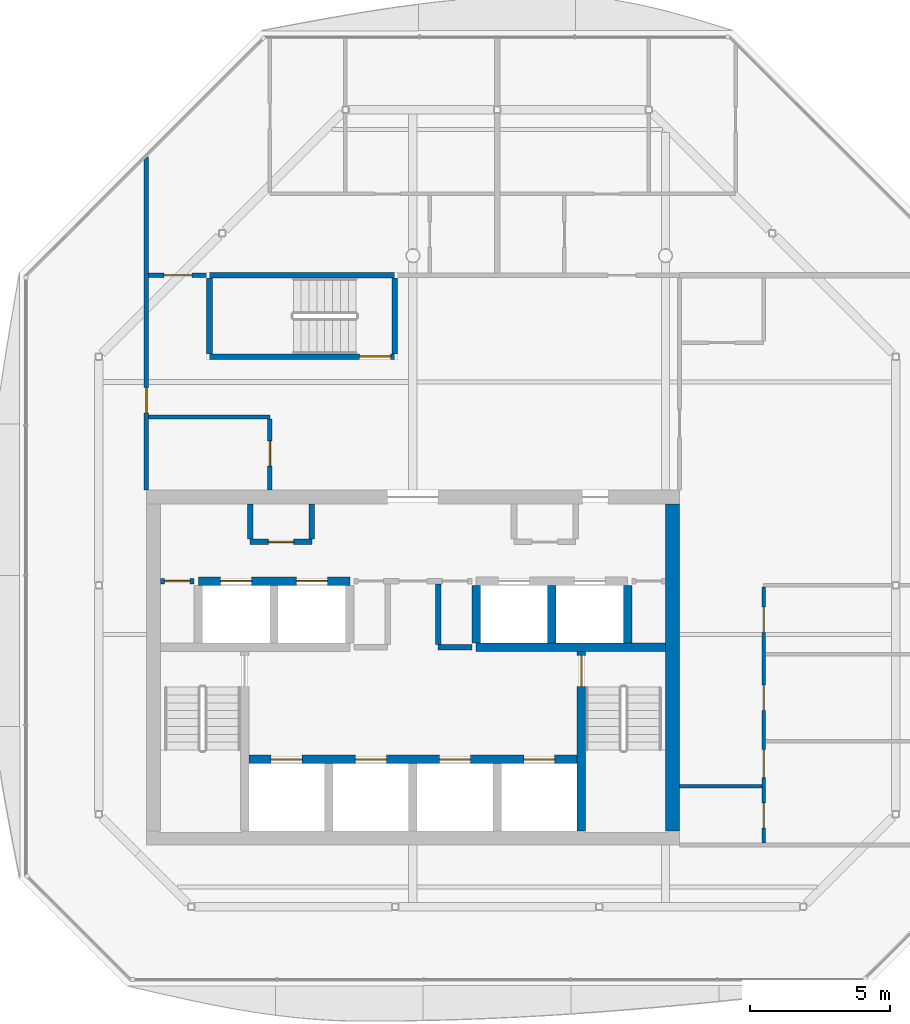
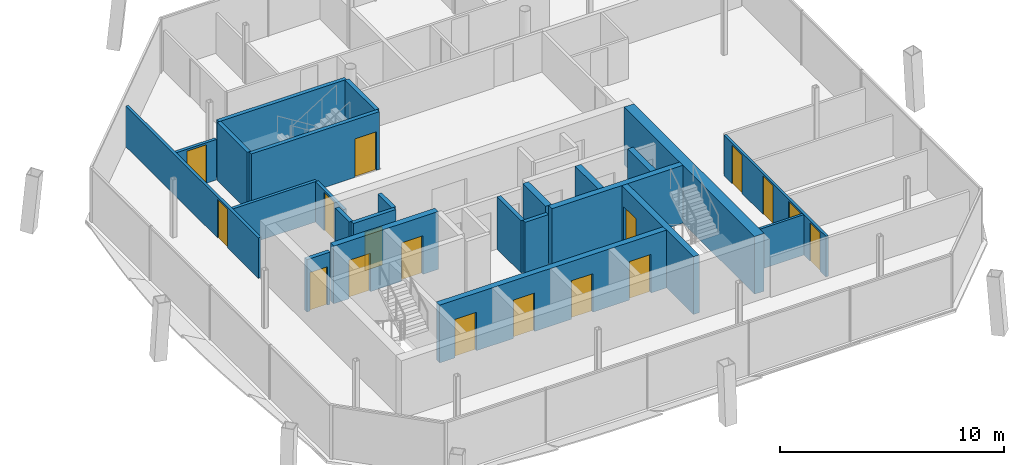
# One storey, part 10 of 16: 24 walls, 17 doors, 17 openings.
"""IFC4 building model written with IfcOpenShell, lengths in metres."""

from ifc_helpers import new_model, si_unit, direction, frame, frame_2d, origin, place, context, subcontext, project, spatial, rectangle, extrude, material, layer, layer_set, type_object, element, fill, save


model = new_model("IFC4")

# Units and contexts
model_context = context("Model", 3, precision=1e-05, world=origin(), true_north=direction((0.0, 1.0)))
body_context = subcontext(model_context, "Body", "Model", "MODEL_VIEW")
ifc_project = project(units=[si_unit("LENGTHUNIT", "METRE"), si_unit("AREAUNIT", "SQUARE_METRE"), si_unit("VOLUMEUNIT", "CUBIC_METRE"), si_unit("PLANEANGLEUNIT", "RADIAN"), si_unit("MASSUNIT", "GRAM", prefix="KILO")], contexts=[model_context])

# Site, building, storey
site_placement = place(None, origin())
site = spatial("IfcSite", under=ifc_project, at=site_placement, CompositionType="ELEMENT")
building_placement = place(site_placement, origin())
building = spatial("IfcBuilding", under=site, at=building_placement, Name="Tskaro Facet Tower", CompositionType="ELEMENT")
storey_placement = place(building_placement, frame((0.0, 0.0, 265.800048828125)))
storey = spatial("IfcBuildingStorey", under=building, at=storey_placement, Name="L70", CompositionType="ELEMENT", Elevation=265.800048828125)

# Wall, openings, doors
ifc_material_1 = material(Name="Concrete C60/75", Category="concrete")
ifc_layer_1 = layer(ifc_material_1, 0.300048828125, Name="Concrete C60/75")
ifc_layer_set_1 = layer_set([ifc_layer_1], Name="Concrete C60/75")
wall_type_1 = type_object("IfcWallType", Name="CORE-SHAFT", PredefinedType="SHEAR", material=ifc_layer_set_1)
wall_1_placement = place(storey_placement, frame((-5.85009765625, -8.949951171875, 0.0), z_axis=(0.0, 0.0, 1.0), x_axis=(1.0, 0.0, 0.0)))
wall_1 = element("IfcWall", 1, at=wall_1_placement, inside=storey, type_object=wall_type_1, Name="Shaft wall W003", PredefinedType="SHEAR", context=body_context, shape_type="SweptSolid", body=[
    extrude(rectangle(XDim=11.7001953125, YDim=0.300048828125, at=frame_2d((5.85009765625, 0.0))), origin(), (0.0, 0.0, 1.0), 3.14990234375),
])
opening_1_placement = place(wall_1_placement, frame((0.800048828125, 0.0, 0.0)))
opening_1 = element("IfcOpeningElement", 2, at=opening_1_placement, cuts=wall_1, Name="Opening LD-FF1", PredefinedType="OPENING", context=body_context, shape_type="SweptSolid", body=[
    extrude(rectangle(XDim=1.10009765625, YDim=2.10009765625, at=frame_2d((0.550048828125, 1.050048828125))), frame((0.0, 0.159912109375, 0.0), z_axis=(0.0, -1.0, 0.0), x_axis=(1.0, 0.0, 0.0)), (0.0, 0.0, 1.0), 0.320068359375),
])
opening_2_placement = place(wall_1_placement, frame((3.800048828125, 0.0, 0.0)))
opening_2 = element("IfcOpeningElement", 3, at=opening_2_placement, cuts=wall_1, Name="Opening LD-FF2", PredefinedType="OPENING", context=body_context, shape_type="SweptSolid", body=[
    extrude(rectangle(XDim=1.10009765625, YDim=2.10009765625, at=frame_2d((0.550048828125, 1.050048828125))), frame((0.0, 0.159912109375, 0.0), z_axis=(0.0, -1.0, 0.0), x_axis=(1.0, 0.0, 0.0)), (0.0, 0.0, 1.0), 0.320068359375),
])
opening_3_placement = place(wall_1_placement, frame((6.800048828125, 0.0, 0.0)))
opening_3 = element("IfcOpeningElement", 4, at=opening_3_placement, cuts=wall_1, Name="Opening LD-SV1", PredefinedType="OPENING", context=body_context, shape_type="SweptSolid", body=[
    extrude(rectangle(XDim=1.10009765625, YDim=2.10009765625, at=frame_2d((0.550048828125, 1.050048828125))), frame((0.0, 0.159912109375, 0.0), z_axis=(0.0, -1.0, 0.0), x_axis=(1.0, 0.0, 0.0)), (0.0, 0.0, 1.0), 0.320068359375),
])
opening_4_placement = place(wall_1_placement, frame((9.800048828125, 0.0, 0.0)))
opening_4 = element("IfcOpeningElement", 5, at=opening_4_placement, cuts=wall_1, Name="Opening LD-SV2", PredefinedType="OPENING", context=body_context, shape_type="SweptSolid", body=[
    extrude(rectangle(XDim=1.10009765625, YDim=2.10009765625, at=frame_2d((0.550048828125, 1.050048828125))), frame((0.0, 0.159912109375, 0.0), z_axis=(0.0, -1.0, 0.0), x_axis=(1.0, 0.0, 0.0)), (0.0, 0.0, 1.0), 0.320068359375),
])
ifc_material_2 = material(Name="Stainless steel", Category="steel")
door_type_1 = type_object("IfcDoorType", Name="D-LANDING", OperationType="NOTDEFINED", PredefinedType="DOOR", material=ifc_material_2)
door_1_placement = place(opening_1_placement, origin())
door_1 = element("IfcDoor", 6, at=door_1_placement, inside=storey, type_object=door_type_1, Name="Landing door FF1", OperationType="DOUBLE_DOOR_SLIDING", OverallHeight=2.10009765625, OverallWidth=1.10009765625, PredefinedType="DOOR", context=body_context, shape_type="SweptSolid", body=[
    extrude(rectangle(XDim=1.10009765625, YDim=2.10009765625, at=frame_2d((0.550048828125, 1.050048828125))), frame((0.0, 0.02490234375, 0.0), z_axis=(0.0, -1.0, 0.0), x_axis=(1.0, 0.0, 0.0)), (0.0, 0.0, 1.0), 0.050048828125),
])
fill(opening_1, door_1)
door_2_placement = place(opening_2_placement, origin())
door_2 = element("IfcDoor", 7, at=door_2_placement, inside=storey, type_object=door_type_1, Name="Landing door FF2", OperationType="DOUBLE_DOOR_SLIDING", OverallHeight=2.10009765625, OverallWidth=1.10009765625, PredefinedType="DOOR", context=body_context, shape_type="SweptSolid", body=[
    extrude(rectangle(XDim=1.10009765625, YDim=2.10009765625, at=frame_2d((0.550048828125, 1.050048828125))), frame((0.0, 0.02490234375, 0.0), z_axis=(0.0, -1.0, 0.0), x_axis=(1.0, 0.0, 0.0)), (0.0, 0.0, 1.0), 0.050048828125),
])
fill(opening_2, door_2)
door_3_placement = place(opening_3_placement, origin())
door_3 = element("IfcDoor", 8, at=door_3_placement, inside=storey, type_object=door_type_1, Name="Landing door SV1", OperationType="DOUBLE_DOOR_SLIDING", OverallHeight=2.10009765625, OverallWidth=1.10009765625, PredefinedType="DOOR", context=body_context, shape_type="SweptSolid", body=[
    extrude(rectangle(XDim=1.10009765625, YDim=2.10009765625, at=frame_2d((0.550048828125, 1.050048828125))), frame((0.0, 0.02490234375, 0.0), z_axis=(0.0, -1.0, 0.0), x_axis=(1.0, 0.0, 0.0)), (0.0, 0.0, 1.0), 0.050048828125),
])
fill(opening_3, door_3)
door_4_placement = place(opening_4_placement, origin())
door_4 = element("IfcDoor", 9, at=door_4_placement, inside=storey, type_object=door_type_1, Name="Landing door SV2", OperationType="DOUBLE_DOOR_SLIDING", OverallHeight=2.10009765625, OverallWidth=1.10009765625, PredefinedType="DOOR", context=body_context, shape_type="SweptSolid", body=[
    extrude(rectangle(XDim=1.10009765625, YDim=2.10009765625, at=frame_2d((0.550048828125, 1.050048828125))), frame((0.0, 0.02490234375, 0.0), z_axis=(0.0, -1.0, 0.0), x_axis=(1.0, 0.0, 0.0)), (0.0, 0.0, 1.0), 0.050048828125),
])
fill(opening_4, door_4)

# Wall
wall_2_placement = place(storey_placement, frame((2.25, -4.949951171875, 0.0), z_axis=(0.0, 0.0, 1.0), x_axis=(1.0, 0.0, 0.0)))
element("IfcWall", 10, at=wall_2_placement, inside=storey, type_object=wall_type_1, Name="Shaft wall W009", PredefinedType="SHEAR", context=body_context, shape_type="SweptSolid", body=[
    extrude(rectangle(XDim=6.75, YDim=0.300048828125, at=frame_2d((3.375, 0.0))), origin(), (0.0, 0.0, 1.0), 3.14990234375),
])

# Wall, openings, doors
wall_3_placement = place(storey_placement, frame((-7.64990234375, -2.60009765625, 0.0), z_axis=(0.0, 0.0, 1.0), x_axis=(1.0, 0.0, 0.0)))
wall_3 = element("IfcWall", 11, at=wall_3_placement, inside=storey, type_object=wall_type_1, Name="Shaft wall W013", PredefinedType="SHEAR", context=body_context, shape_type="SweptSolid", body=[
    extrude(rectangle(XDim=5.39990234375, YDim=0.300048828125, at=frame_2d((2.699951171875, 0.0))), origin(), (0.0, 0.0, 1.0), 3.14990234375),
])
opening_5_placement = place(wall_3_placement, frame((0.800048828125, 0.0, 0.0)))
opening_5 = element("IfcOpeningElement", 12, at=opening_5_placement, cuts=wall_3, Name="Opening LD-HB1", PredefinedType="OPENING", context=body_context, shape_type="SweptSolid", body=[
    extrude(rectangle(XDim=1.10009765625, YDim=2.10009765625, at=frame_2d((0.550048828125, 1.050048828125))), frame((0.0, 0.159912109375, 0.0), z_axis=(0.0, -1.0, 0.0), x_axis=(1.0, 0.0, 0.0)), (0.0, 0.0, 1.0), 0.320068359375),
])
opening_6_placement = place(wall_3_placement, frame((3.5, 0.0, 0.0)))
opening_6 = element("IfcOpeningElement", 13, at=opening_6_placement, cuts=wall_3, Name="Opening LD-HB2", PredefinedType="OPENING", context=body_context, shape_type="SweptSolid", body=[
    extrude(rectangle(XDim=1.10009765625, YDim=2.10009765625, at=frame_2d((0.550048828125, 1.050048828125))), frame((0.0, 0.159912109375, 0.0), z_axis=(0.0, -1.0, 0.0), x_axis=(1.0, 0.0, 0.0)), (0.0, 0.0, 1.0), 0.320068359375),
])
door_5_placement = place(opening_5_placement, origin())
door_5 = element("IfcDoor", 14, at=door_5_placement, inside=storey, type_object=door_type_1, Name="Landing door HB1", OperationType="DOUBLE_DOOR_SLIDING", OverallHeight=2.10009765625, OverallWidth=1.10009765625, PredefinedType="DOOR", context=body_context, shape_type="SweptSolid", body=[
    extrude(rectangle(XDim=1.10009765625, YDim=2.10009765625, at=frame_2d((0.550048828125, 1.050048828125))), frame((0.0, 0.02490234375, 0.0), z_axis=(0.0, -1.0, 0.0), x_axis=(1.0, 0.0, 0.0)), (0.0, 0.0, 1.0), 0.050048828125),
])
fill(opening_5, door_5)
door_6_placement = place(opening_6_placement, origin())
door_6 = element("IfcDoor", 15, at=door_6_placement, inside=storey, type_object=door_type_1, Name="Landing door HB2", OperationType="DOUBLE_DOOR_SLIDING", OverallHeight=2.10009765625, OverallWidth=1.10009765625, PredefinedType="DOOR", context=body_context, shape_type="SweptSolid", body=[
    extrude(rectangle(XDim=1.10009765625, YDim=2.10009765625, at=frame_2d((0.550048828125, 1.050048828125))), frame((0.0, 0.02490234375, 0.0), z_axis=(0.0, -1.0, 0.0), x_axis=(1.0, 0.0, 0.0)), (0.0, 0.0, 1.0), 0.050048828125),
])
fill(opening_6, door_6)

# Walls
for number, where, z_axis, x_axis, name in (
    (16, (2.25, -4.800048828125, 0.0), (0.0, 0.0, 1.0), (0.0, 1.0, 0.0), "Shaft wall W045"),
    (17, (4.949951171875, -4.800048828125, 0.0), (0.0, 0.0, 1.0), (0.0, 1.0, 0.0), "Shaft wall W050"),
):
    element("IfcWall", number, at=place(storey_placement, frame(where, z_axis=z_axis, x_axis=x_axis)), inside=storey, type_object=wall_type_1, Name=name, PredefinedType="SHEAR", context=body_context, shape_type="SweptSolid", body=[
        extrude(rectangle(XDim=2.050048828125, YDim=0.300048828125, at=frame_2d((1.02490234375, 0.0))), origin(), (0.0, 0.0, 1.0), 3.14990234375),
    ])

# Wall, opening, door
wall_4_placement = place(storey_placement, frame((6.0, -5.10009765625, 0.0), z_axis=(0.0, 0.0, 1.0), x_axis=(0.0, -1.0, 0.0)))
wall_4 = element("IfcWall", 18, at=wall_4_placement, inside=storey, type_object=wall_type_1, Name="Shaft wall W053", PredefinedType="SHEAR", context=body_context, shape_type="SweptSolid", body=[
    extrude(rectangle(XDim=6.39990234375, YDim=0.300048828125, at=frame_2d((3.199951171875, 0.0))), origin(), (0.0, 0.0, 1.0), 3.14990234375),
])
opening_7_placement = place(wall_4_placement, frame((0.14990234375, 0.0, 0.0)))
opening_7 = element("IfcOpeningElement", 19, at=opening_7_placement, cuts=wall_4, Name="Opening ST-2-D1", PredefinedType="OPENING", context=body_context, shape_type="SweptSolid", body=[
    extrude(rectangle(XDim=1.10009765625, YDim=2.10009765625, at=frame_2d((0.550048828125, 1.050048828125))), frame((0.0, 0.159912109375, 0.0), z_axis=(0.0, -1.0, 0.0), x_axis=(1.0, 0.0, 0.0)), (0.0, 0.0, 1.0), 0.320068359375),
])
ifc_material_3 = material(Name="Steel", Category="steel")
door_type_2 = type_object("IfcDoorType", Name="D-STAIR", OperationType="NOTDEFINED", PredefinedType="DOOR", material=ifc_material_3)
door_7_placement = place(opening_7_placement, origin())
door_7 = element("IfcDoor", 20, at=door_7_placement, inside=storey, type_object=door_type_2, Name="Stair door 2", OperationType="SINGLE_SWING_RIGHT", OverallHeight=2.10009765625, OverallWidth=1.10009765625, PredefinedType="DOOR", context=body_context, shape_type="SweptSolid", body=[
    extrude(rectangle(XDim=1.10009765625, YDim=2.10009765625, at=frame_2d((0.550048828125, 1.050048828125))), frame((0.0, 0.02490234375, 0.0), z_axis=(0.0, -1.0, 0.0), x_axis=(1.0, 0.0, 0.0)), (0.0, 0.0, 1.0), 0.050048828125),
])
fill(opening_7, door_7)

# Walls
wall_5_placement = place(storey_placement, frame((7.64990234375, -4.800048828125, 0.0), z_axis=(0.0, 0.0, 1.0), x_axis=(0.0, 1.0, 0.0)))
element("IfcWall", 21, at=wall_5_placement, inside=storey, type_object=wall_type_1, Name="Shaft wall W054", PredefinedType="SHEAR", context=body_context, shape_type="SweptSolid", body=[
    extrude(rectangle(XDim=2.050048828125, YDim=0.300048828125, at=frame_2d((1.02490234375, 0.0))), origin(), (0.0, 0.0, 1.0), 3.14990234375),
])
ifc_material_4 = material(Name="Concrete C20/25", Category="concrete")
ifc_layer_2 = layer(ifc_material_4, 0.199951171875, Name="Concrete C20/25")
ifc_layer_set_2 = layer_set([ifc_layer_2], Name="Concrete C20/25")
wall_type_2 = type_object("IfcWallType", Name="CORE-WALL", PredefinedType="SOLIDWALL", material=ifc_layer_set_2)
wall_6_placement = place(storey_placement, frame((0.89990234375, -4.949951171875, 0.0), z_axis=(0.0, 0.0, 1.0), x_axis=(1.0, 0.0, 0.0)))
element("IfcWall", 22, at=wall_6_placement, inside=storey, type_object=wall_type_2, Name="Core room wall W008", PredefinedType="SOLIDWALL", context=body_context, shape_type="SweptSolid", body=[
    extrude(rectangle(XDim=1.2001953125, YDim=0.199951171875, at=frame_2d((0.60009765625, 0.0))), origin(), (0.0, 0.0, 1.0), 2.849853515625),
])

# Wall, opening, door
wall_7_placement = place(storey_placement, frame((-7.800048828125, -2.60009765625, 0.0), z_axis=(0.0, 0.0, 1.0), x_axis=(-1.0, 0.0, 0.0)))
wall_7 = element("IfcWall", 23, at=wall_7_placement, inside=storey, type_object=wall_type_2, Name="Core room wall W012", PredefinedType="SOLIDWALL", context=body_context, shape_type="SweptSolid", body=[
    extrude(rectangle(XDim=1.199951171875, YDim=0.199951171875, at=frame_2d((0.60009765625, 0.0))), origin(), (0.0, 0.0, 1.0), 2.849853515625),
])
opening_8_placement = place(wall_7_placement, frame((0.14990234375, 0.0, 0.0)))
opening_8 = element("IfcOpeningElement", 24, at=opening_8_placement, cuts=wall_7, Name="Opening T20-D05", PredefinedType="OPENING", context=body_context, shape_type="SweptSolid", body=[
    extrude(rectangle(XDim=0.89990234375, YDim=2.10009765625, at=frame_2d((0.449951171875, 1.050048828125))), frame((0.0, 0.10986328125, 0.0), z_axis=(0.0, -1.0, 0.0), x_axis=(1.0, 0.0, 0.0)), (0.0, 0.0, 1.0), 0.219970703125),
])
ifc_material_5 = material(Name="Timber", Category="wood")
door_type_3 = type_object("IfcDoorType", Name="D-ROOM", OperationType="NOTDEFINED", PredefinedType="DOOR", material=ifc_material_5)
door_8_placement = place(opening_8_placement, origin())
door_8 = element("IfcDoor", 25, at=door_8_placement, inside=storey, type_object=door_type_3, Name="Door T20-D05", OperationType="SINGLE_SWING_RIGHT", OverallHeight=2.10009765625, OverallWidth=0.89990234375, PredefinedType="DOOR", context=body_context, shape_type="SweptSolid", body=[
    extrude(rectangle(XDim=0.89990234375, YDim=2.10009765625, at=frame_2d((0.449951171875, 1.050048828125))), frame((0.0, 0.02490234375, 0.0), z_axis=(0.0, -1.0, 0.0), x_axis=(1.0, 0.0, 0.0)), (0.0, 0.0, 1.0), 0.050048828125),
])
fill(opening_8, door_8)

wall_8_placement = place(storey_placement, frame((-5.800048828125, -1.199951171875, 0.0), z_axis=(0.0, 0.0, 1.0), x_axis=(1.0, 0.0, 0.0)))
wall_8 = element("IfcWall", 26, at=wall_8_placement, inside=storey, type_object=wall_type_2, Name="Core room wall W017", PredefinedType="SOLIDWALL", context=body_context, shape_type="SweptSolid", body=[
    extrude(rectangle(XDim=2.199951171875, YDim=0.199951171875, at=frame_2d((1.10009765625, 0.0))), origin(), (0.0, 0.0, 1.0), 2.849853515625),
])
opening_9_placement = place(wall_8_placement, frame((0.64990234375, 0.0, 0.0)))
opening_9 = element("IfcOpeningElement", 27, at=opening_9_placement, cuts=wall_8, Name="Opening T20-D09", PredefinedType="OPENING", context=body_context, shape_type="SweptSolid", body=[
    extrude(rectangle(XDim=0.89990234375, YDim=2.10009765625, at=frame_2d((0.449951171875, 1.050048828125))), frame((0.0, 0.10986328125, 0.0), z_axis=(0.0, -1.0, 0.0), x_axis=(1.0, 0.0, 0.0)), (0.0, 0.0, 1.0), 0.219970703125),
])
door_9_placement = place(opening_9_placement, origin())
door_9 = element("IfcDoor", 28, at=door_9_placement, inside=storey, type_object=door_type_3, Name="Door T20-D09", OperationType="SINGLE_SWING_LEFT", OverallHeight=2.10009765625, OverallWidth=0.89990234375, PredefinedType="DOOR", context=body_context, shape_type="SweptSolid", body=[
    extrude(rectangle(XDim=0.89990234375, YDim=2.10009765625, at=frame_2d((0.449951171875, 1.050048828125))), frame((0.0, 0.02490234375, 0.0), z_axis=(0.0, -1.0, 0.0), x_axis=(1.0, 0.0, 0.0)), (0.0, 0.0, 1.0), 0.050048828125),
])
fill(opening_9, door_9)

# Walls
for number, where, z_axis, x_axis, name in (
    (29, (-5.800048828125, -1.10009765625, 0.0), (0.0, 0.0, 1.0), (0.0, 1.0, 0.0), "Core room wall W031"),
    (30, (-3.60009765625, -1.10009765625, 0.0), (0.0, 0.0, 1.0), (0.0, 1.0, 0.0), "Core room wall W035"),
):
    element("IfcWall", number, at=place(storey_placement, frame(where, z_axis=z_axis, x_axis=x_axis)), inside=storey, type_object=wall_type_2, Name=name, PredefinedType="SOLIDWALL", context=body_context, shape_type="SweptSolid", body=[
        extrude(rectangle(XDim=1.25, YDim=0.199951171875, at=frame_2d((0.625, 0.0))), origin(), (0.0, 0.0, 1.0), 2.849853515625),
    ])
wall_9_placement = place(storey_placement, frame((0.89990234375, -4.85009765625, 0.0), z_axis=(0.0, 0.0, 1.0), x_axis=(0.0, 1.0, 0.0)))
element("IfcWall", 31, at=wall_9_placement, inside=storey, type_object=wall_type_2, Name="Core room wall W044", PredefinedType="SOLIDWALL", context=body_context, shape_type="SweptSolid", body=[
    extrude(rectangle(XDim=2.150146484375, YDim=0.199951171875, at=frame_2d((1.0751953125, 0.0))), origin(), (0.0, 0.0, 1.0), 2.849853515625),
])
ifc_material_6 = material(Name="Concrete C40/50", Category="concrete")
ifc_layer_3 = layer(ifc_material_6, 0.5, Name="Concrete C40/50")
ifc_layer_set_3 = layer_set([ifc_layer_3], Name="Concrete C40/50")
wall_type_3 = type_object("IfcWallType", Name="Core wall 500", PredefinedType="SHEAR", material=ifc_layer_set_3)
wall_10_placement = place(storey_placement, frame((9.25, -11.5, 0.0), z_axis=(0.0, 0.0, 1.0), x_axis=(0.0, 1.0, 0.0)))
element("IfcWall", 32, at=wall_10_placement, inside=storey, type_object=wall_type_3, Name="Core wall CW-Z3E", PredefinedType="SHEAR", context=body_context, shape_type="SweptSolid", body=[
    extrude(rectangle(XDim=11.64990234375, YDim=0.5, at=frame_2d((5.824951171875, 0.0))), origin(), (0.0, 0.0, 1.0), 3.14990234375),
])
ifc_material_7 = material(Name="Gypsum board on steel studs", Category="steel")
ifc_layer_4 = layer(ifc_material_7, 0.125, Name="Gypsum board on steel studs")
ifc_layer_set_4 = layer_set([ifc_layer_4], Name="Gypsum board on steel studs")
wall_type_4 = type_object("IfcWallType", Name="PART", PredefinedType="PARTITIONING", material=ifc_layer_set_4)
wall_11_placement = place(storey_placement, frame((9.5, -9.89990234375, 0.0), z_axis=(0.0, 0.0, 1.0), x_axis=(1.0, 0.0, 0.0)))
element("IfcWall", 33, at=wall_11_placement, inside=storey, type_object=wall_type_4, Name="Partition W002", PredefinedType="PARTITIONING", context=body_context, shape_type="SweptSolid", body=[
    extrude(rectangle(XDim=2.9375, YDim=0.125, at=frame_2d((1.46875, 0.0))), origin(), (0.0, 0.0, 1.0), 2.2099609375),
])

# Wall, openings, doors
wall_12_placement = place(storey_placement, frame((12.5, -2.8125, 0.0), z_axis=(0.0, 0.0, 1.0), x_axis=(0.0, -1.0, 0.0)))
wall_12 = element("IfcWall", 34, at=wall_12_placement, inside=storey, type_object=wall_type_4, Name="Partition W059", PredefinedType="PARTITIONING", context=body_context, shape_type="SweptSolid", body=[
    extrude(rectangle(XDim=9.112548828125, YDim=0.125, at=frame_2d((4.55615234375, 0.0))), origin(), (0.0, 0.0, 1.0), 2.2099609375),
])
opening_10_placement = place(wall_12_placement, frame((3.487548828125, 0.0, 0.0)))
opening_10 = element("IfcOpeningElement", 35, at=opening_10_placement, cuts=wall_12, Name="Opening T20-D03", PredefinedType="OPENING", context=body_context, shape_type="SweptSolid", body=[
    extrude(rectangle(XDim=0.89990234375, YDim=2.10009765625, at=frame_2d((0.449951171875, 1.050048828125))), frame((0.0, 0.072509765625, 0.0), z_axis=(0.0, -1.0, 0.0), x_axis=(1.0, 0.0, 0.0)), (0.0, 0.0, 1.0), 0.14501953125),
])
opening_11_placement = place(wall_12_placement, frame((0.71240234375, 0.0, 0.0)))
opening_11 = element("IfcOpeningElement", 36, at=opening_11_placement, cuts=wall_12, Name="Opening T20-D04", PredefinedType="OPENING", context=body_context, shape_type="SweptSolid", body=[
    extrude(rectangle(XDim=0.89990234375, YDim=2.10009765625, at=frame_2d((0.449951171875, 1.050048828125))), frame((0.0, 0.072509765625, 0.0), z_axis=(0.0, -1.0, 0.0), x_axis=(1.0, 0.0, 0.0)), (0.0, 0.0, 1.0), 0.14501953125),
])
opening_12_placement = place(wall_12_placement, frame((5.78759765625, 0.0, 0.0)))
opening_12 = element("IfcOpeningElement", 37, at=opening_12_placement, cuts=wall_12, Name="Opening T20-D02", PredefinedType="OPENING", context=body_context, shape_type="SweptSolid", body=[
    extrude(rectangle(XDim=1.0, YDim=2.10009765625, at=frame_2d((0.5, 1.050048828125))), frame((0.0, 0.072509765625, 0.0), z_axis=(0.0, -1.0, 0.0), x_axis=(1.0, 0.0, 0.0)), (0.0, 0.0, 1.0), 0.14501953125),
])
opening_13_placement = place(wall_12_placement, frame((7.6875, 0.0, 0.0)))
opening_13 = element("IfcOpeningElement", 38, at=opening_13_placement, cuts=wall_12, Name="Opening T20-D01", PredefinedType="OPENING", context=body_context, shape_type="SweptSolid", body=[
    extrude(rectangle(XDim=0.89990234375, YDim=2.10009765625, at=frame_2d((0.449951171875, 1.050048828125))), frame((0.0, 0.072509765625, 0.0), z_axis=(0.0, -1.0, 0.0), x_axis=(1.0, 0.0, 0.0)), (0.0, 0.0, 1.0), 0.14501953125),
])
door_10_placement = place(opening_10_placement, origin())
door_10 = element("IfcDoor", 39, at=door_10_placement, inside=storey, type_object=door_type_3, Name="Door T20-D03", OperationType="SINGLE_SWING_LEFT", OverallHeight=2.10009765625, OverallWidth=0.89990234375, PredefinedType="DOOR", context=body_context, shape_type="SweptSolid", body=[
    extrude(rectangle(XDim=0.89990234375, YDim=2.10009765625, at=frame_2d((0.449951171875, 1.050048828125))), frame((0.0, 0.02490234375, 0.0), z_axis=(0.0, -1.0, 0.0), x_axis=(1.0, 0.0, 0.0)), (0.0, 0.0, 1.0), 0.050048828125),
])
fill(opening_10, door_10)
door_11_placement = place(opening_11_placement, origin())
door_11 = element("IfcDoor", 40, at=door_11_placement, inside=storey, type_object=door_type_3, Name="Door T20-D04", OperationType="SINGLE_SWING_RIGHT", OverallHeight=2.10009765625, OverallWidth=0.89990234375, PredefinedType="DOOR", context=body_context, shape_type="SweptSolid", body=[
    extrude(rectangle(XDim=0.89990234375, YDim=2.10009765625, at=frame_2d((0.449951171875, 1.050048828125))), frame((0.0, 0.02490234375, 0.0), z_axis=(0.0, -1.0, 0.0), x_axis=(1.0, 0.0, 0.0)), (0.0, 0.0, 1.0), 0.050048828125),
])
fill(opening_11, door_11)
door_12_placement = place(opening_13_placement, origin())
door_12 = element("IfcDoor", 41, at=door_12_placement, inside=storey, type_object=door_type_3, Name="Door T20-D01", OperationType="SINGLE_SWING_LEFT", OverallHeight=2.10009765625, OverallWidth=0.89990234375, PredefinedType="DOOR", context=body_context, shape_type="SweptSolid", body=[
    extrude(rectangle(XDim=0.89990234375, YDim=2.10009765625, at=frame_2d((0.449951171875, 1.050048828125))), frame((0.0, 0.02490234375, 0.0), z_axis=(0.0, -1.0, 0.0), x_axis=(1.0, 0.0, 0.0)), (0.0, 0.0, 1.0), 0.050048828125),
])
fill(opening_13, door_12)
door_type_4 = type_object("IfcDoorType", Name="D-ROOM-WIDE", OperationType="NOTDEFINED", PredefinedType="DOOR", material=ifc_material_5)
door_13_placement = place(opening_12_placement, origin())
door_13 = element("IfcDoor", 42, at=door_13_placement, inside=storey, type_object=door_type_4, Name="Door T20-D02", OperationType="SINGLE_SWING_RIGHT", OverallHeight=2.10009765625, OverallWidth=1.0, PredefinedType="DOOR", context=body_context, shape_type="SweptSolid", body=[
    extrude(rectangle(XDim=1.0, YDim=2.10009765625, at=frame_2d((0.5, 1.050048828125))), frame((0.0, 0.02490234375, 0.0), z_axis=(0.0, -1.0, 0.0), x_axis=(1.0, 0.0, 0.0)), (0.0, 0.0, 1.0), 0.050048828125),
])
fill(opening_12, door_13)

# Wall
ifc_layer_5 = layer(ifc_material_7, 0.14990234375, Name="Gypsum board on steel studs")
ifc_layer_set_5 = layer_set([ifc_layer_5], Name="Gypsum board on steel studs")
wall_type_5 = type_object("IfcWallType", Name="PART-CORR", PredefinedType="PARTITIONING", material=ifc_layer_set_5)
wall_13_placement = place(storey_placement, frame((-9.425048828125, 3.25, 0.0), z_axis=(0.0, 0.0, 1.0), x_axis=(1.0, 0.0, 0.0)))
element("IfcWall", 43, at=wall_13_placement, inside=storey, type_object=wall_type_5, Name="Corridor wall W019", PredefinedType="PARTITIONING", context=body_context, shape_type="SweptSolid", body=[
    extrude(rectangle(XDim=4.324951171875, YDim=0.14990234375, at=frame_2d((2.16259765625, 0.0))), origin(), (0.0, 0.0, 1.0), 2.2099609375),
])

# Wall, opening, door
wall_14_placement = place(storey_placement, frame((-9.425048828125, 8.300048828125, 0.0), z_axis=(0.0, 0.0, 1.0), x_axis=(1.0, 0.0, 0.0)))
wall_14 = element("IfcWall", 44, at=wall_14_placement, inside=storey, type_object=wall_type_5, Name="Corridor wall W022", PredefinedType="PARTITIONING", context=body_context, shape_type="SweptSolid", body=[
    extrude(rectangle(XDim=2.074951171875, YDim=0.14990234375, at=frame_2d((1.03759765625, 0.0))), origin(), (0.0, 0.0, 1.0), 2.2099609375),
])
opening_14_placement = place(wall_14_placement, frame((0.550048828125, 0.0, 0.0)))
opening_14 = element("IfcOpeningElement", 45, at=opening_14_placement, cuts=wall_14, Name="Opening T20-D17", PredefinedType="OPENING", context=body_context, shape_type="SweptSolid", body=[
    extrude(rectangle(XDim=1.0, YDim=2.10009765625, at=frame_2d((0.5, 1.050048828125))), frame((0.0, 0.0849609375, 0.0), z_axis=(0.0, -1.0, 0.0), x_axis=(1.0, 0.0, 0.0)), (0.0, 0.0, 1.0), 0.169921875),
])
door_type_5 = type_object("IfcDoorType", Name="D-FLAT-ENTRY", OperationType="NOTDEFINED", PredefinedType="DOOR", material=ifc_material_5)
door_14_placement = place(opening_14_placement, origin())
door_14 = element("IfcDoor", 46, at=door_14_placement, inside=storey, type_object=door_type_5, Name="Door T20-D17", OperationType="SINGLE_SWING_LEFT", OverallHeight=2.10009765625, OverallWidth=1.0, PredefinedType="DOOR", context=body_context, shape_type="SweptSolid", body=[
    extrude(rectangle(XDim=1.0, YDim=2.10009765625, at=frame_2d((0.5, 1.050048828125))), frame((0.0, 0.02490234375, 0.0), z_axis=(0.0, -1.0, 0.0), x_axis=(1.0, 0.0, 0.0)), (0.0, 0.0, 1.0), 0.050048828125),
])
fill(opening_14, door_14)

wall_15_placement = place(storey_placement, frame((-9.5, 0.64990234375, 0.0), z_axis=(0.0, 0.0, 1.0), x_axis=(0.0, 1.0, 0.0)))
wall_15 = element("IfcWall", 47, at=wall_15_placement, inside=storey, type_object=wall_type_5, Name="Corridor wall W027", PredefinedType="PARTITIONING", context=body_context, shape_type="SweptSolid", body=[
    extrude(rectangle(XDim=11.860107421875, YDim=0.14990234375, at=frame_2d((5.93017578125, 0.0))), origin(), (0.0, 0.0, 1.0), 2.2099609375),
])
opening_15_placement = place(wall_15_placement, frame((2.75, 0.0, 0.0)))
opening_15 = element("IfcOpeningElement", 48, at=opening_15_placement, cuts=wall_15, Name="Opening T20-D15", PredefinedType="OPENING", context=body_context, shape_type="SweptSolid", body=[
    extrude(rectangle(XDim=0.89990234375, YDim=2.10009765625, at=frame_2d((0.449951171875, 1.050048828125))), frame((0.0, 0.0849609375, 0.0), z_axis=(0.0, -1.0, 0.0), x_axis=(1.0, 0.0, 0.0)), (0.0, 0.0, 1.0), 0.169921875),
])
door_15_placement = place(opening_15_placement, origin())
door_15 = element("IfcDoor", 49, at=door_15_placement, inside=storey, type_object=door_type_3, Name="Door T20-D15", OperationType="SINGLE_SWING_LEFT", OverallHeight=2.10009765625, OverallWidth=0.89990234375, PredefinedType="DOOR", context=body_context, shape_type="SweptSolid", body=[
    extrude(rectangle(XDim=0.89990234375, YDim=2.10009765625, at=frame_2d((0.449951171875, 1.050048828125))), frame((0.0, 0.02490234375, 0.0), z_axis=(0.0, -1.0, 0.0), x_axis=(1.0, 0.0, 0.0)), (0.0, 0.0, 1.0), 0.050048828125),
])
fill(opening_15, door_15)

wall_16_placement = place(storey_placement, frame((-5.10009765625, 0.64990234375, 0.0), z_axis=(0.0, 0.0, 1.0), x_axis=(0.0, 1.0, 0.0)))
wall_16 = element("IfcWall", 50, at=wall_16_placement, inside=storey, type_object=wall_type_5, Name="Corridor wall W032", PredefinedType="PARTITIONING", context=body_context, shape_type="SweptSolid", body=[
    extrude(rectangle(XDim=2.525146484375, YDim=0.14990234375, at=frame_2d((1.2626953125, 0.0))), origin(), (0.0, 0.0, 1.0), 2.2099609375),
])
opening_16_placement = place(wall_16_placement, frame((0.85009765625, 0.0, 0.0)))
opening_16 = element("IfcOpeningElement", 51, at=opening_16_placement, cuts=wall_16, Name="Opening T20-D13", PredefinedType="OPENING", context=body_context, shape_type="SweptSolid", body=[
    extrude(rectangle(XDim=0.89990234375, YDim=2.10009765625, at=frame_2d((0.449951171875, 1.050048828125))), frame((0.0, 0.0849609375, 0.0), z_axis=(0.0, -1.0, 0.0), x_axis=(1.0, 0.0, 0.0)), (0.0, 0.0, 1.0), 0.169921875),
])
door_16_placement = place(opening_16_placement, origin())
door_16 = element("IfcDoor", 52, at=door_16_placement, inside=storey, type_object=door_type_3, Name="Door T20-D13", OperationType="SINGLE_SWING_LEFT", OverallHeight=2.10009765625, OverallWidth=0.89990234375, PredefinedType="DOOR", context=body_context, shape_type="SweptSolid", body=[
    extrude(rectangle(XDim=0.89990234375, YDim=2.10009765625, at=frame_2d((0.449951171875, 1.050048828125))), frame((0.0, 0.02490234375, 0.0), z_axis=(0.0, -1.0, 0.0), x_axis=(1.0, 0.0, 0.0)), (0.0, 0.0, 1.0), 0.050048828125),
])
fill(opening_16, door_16)

ifc_layer_6 = layer(ifc_material_1, 0.199951171875, Name="Concrete C60/75")
ifc_layer_set_6 = layer_set([ifc_layer_6], Name="Concrete C60/75")
wall_type_6 = type_object("IfcWallType", Name="STAIR-WALL", PredefinedType="SHEAR", material=ifc_layer_set_6)
wall_17_placement = place(storey_placement, frame((-7.25, 5.39990234375, 0.0), z_axis=(0.0, 0.0, 1.0), x_axis=(1.0, 0.0, 0.0)))
wall_17 = element("IfcWall", 53, at=wall_17_placement, inside=storey, type_object=wall_type_6, Name="Stair wall W020", PredefinedType="SHEAR", context=body_context, shape_type="SweptSolid", body=[
    extrude(rectangle(XDim=6.60009765625, YDim=0.199951171875, at=frame_2d((3.300048828125, 0.0))), origin(), (0.0, 0.0, 1.0), 3.14990234375),
])
opening_17_placement = place(wall_17_placement, frame((5.35009765625, 0.0, 0.0)))
opening_17 = element("IfcOpeningElement", 54, at=opening_17_placement, cuts=wall_17, Name="Opening ST-3-D1", PredefinedType="OPENING", context=body_context, shape_type="SweptSolid", body=[
    extrude(rectangle(XDim=1.10009765625, YDim=2.10009765625, at=frame_2d((0.550048828125, 1.050048828125))), frame((0.0, 0.10986328125, 0.0), z_axis=(0.0, -1.0, 0.0), x_axis=(1.0, 0.0, 0.0)), (0.0, 0.0, 1.0), 0.219970703125),
])
door_17_placement = place(opening_17_placement, origin())
door_17 = element("IfcDoor", 55, at=door_17_placement, inside=storey, type_object=door_type_2, Name="Stair door 3", OperationType="SINGLE_SWING_LEFT", OverallHeight=2.10009765625, OverallWidth=1.10009765625, PredefinedType="DOOR", context=body_context, shape_type="SweptSolid", body=[
    extrude(rectangle(XDim=1.10009765625, YDim=2.10009765625, at=frame_2d((0.550048828125, 1.050048828125))), frame((0.0, 0.02490234375, 0.0), z_axis=(0.0, -1.0, 0.0), x_axis=(1.0, 0.0, 0.0)), (0.0, 0.0, 1.0), 0.050048828125),
])
fill(opening_17, door_17)

# Walls
wall_18_placement = place(storey_placement, frame((-7.25, 8.300048828125, 0.0), z_axis=(0.0, 0.0, 1.0), x_axis=(1.0, 0.0, 0.0)))
element("IfcWall", 56, at=wall_18_placement, inside=storey, type_object=wall_type_6, Name="Stair wall W023", PredefinedType="SHEAR", context=body_context, shape_type="SweptSolid", body=[
    extrude(rectangle(XDim=6.60009765625, YDim=0.199951171875, at=frame_2d((3.300048828125, 0.0))), origin(), (0.0, 0.0, 1.0), 3.14990234375),
])
for number, where, z_axis, x_axis, name in (
    (57, (-7.25, 5.5, 0.0), (0.0, 0.0, 1.0), (0.0, 1.0, 0.0), "Stair wall W029"),
    (58, (-0.64990234375, 5.5, 0.0), (0.0, 0.0, 1.0), (0.0, 1.0, 0.0), "Stair wall W041"),
):
    element("IfcWall", number, at=place(storey_placement, frame(where, z_axis=z_axis, x_axis=x_axis)), inside=storey, type_object=wall_type_6, Name=name, PredefinedType="SHEAR", context=body_context, shape_type="SweptSolid", body=[
        extrude(rectangle(XDim=2.699951171875, YDim=0.199951171875, at=frame_2d((1.35009765625, 0.0))), origin(), (0.0, 0.0, 1.0), 3.14990234375),
    ])

save(model, "model.ifc")
